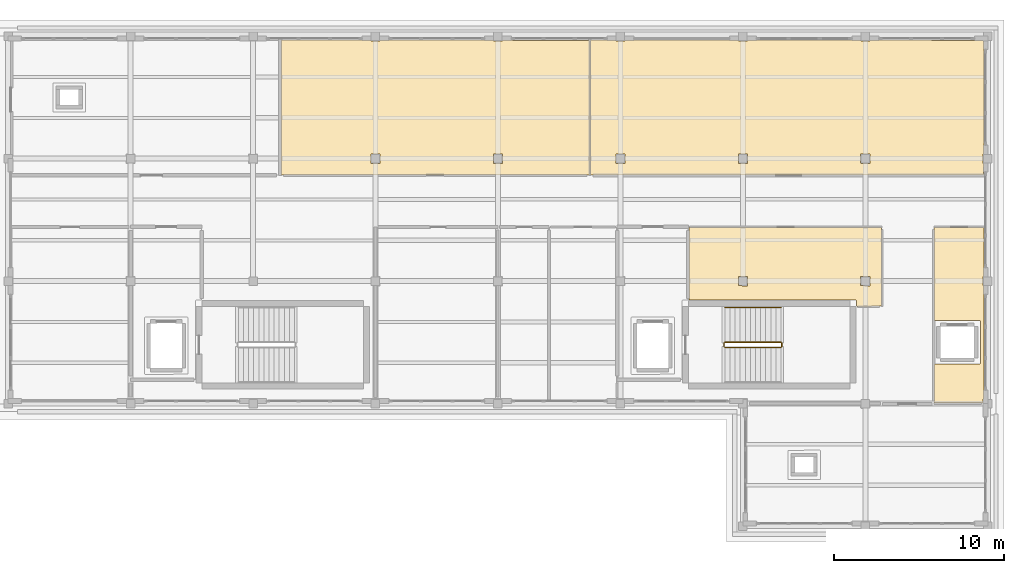
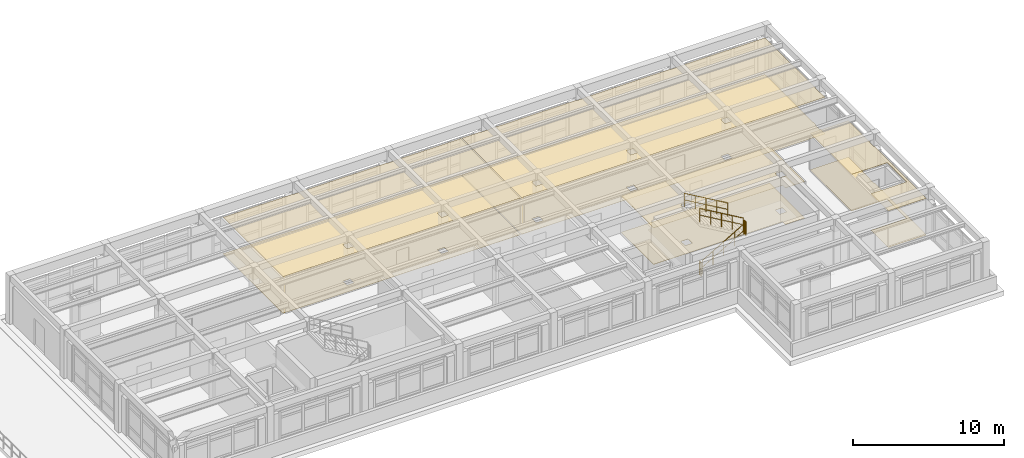
# One storey, part 18 of 18: 8 coverings, 5 railings.
"""IFC4 building model written with IfcOpenShell, lengths in metres."""

from ifc_helpers import new_model, si_unit, direction, frame, origin, origin_2d, place, context, subcontext, project, spatial, polyline, circle, outline, extrude, material, layer, layer_set, type_object, element, save


model = new_model("IFC4")

# Units and contexts
model_context = context("Model", 3, precision=1e-05, world=origin(), true_north=direction((0.0, 1.0)))
body_context = subcontext(model_context, "Body", "Model", "MODEL_VIEW")
ifc_project = project(units=[si_unit("LENGTHUNIT", "METRE"), si_unit("AREAUNIT", "SQUARE_METRE"), si_unit("VOLUMEUNIT", "CUBIC_METRE"), si_unit("PLANEANGLEUNIT", "RADIAN"), si_unit("MASSUNIT", "GRAM", prefix="KILO")], contexts=[model_context])

# Site, building, storey
site_placement = place(None, origin())
site = spatial("IfcSite", under=ifc_project, at=site_placement, CompositionType="ELEMENT")
building_placement = place(site_placement, origin())
building = spatial("IfcBuilding", under=site, at=building_placement, Name="Solenvale Faculty of Natural Sciences", CompositionType="ELEMENT")
storey_placement = place(building_placement, frame((0.0, 0.0, 39.60009765625)))
storey = spatial("IfcBuildingStorey", under=building, at=storey_placement, Name="L09", CompositionType="ELEMENT", Elevation=39.60009765625)

# Coverings
ifc_material_1 = material(Name="Acoustic mineral-timber ceiling", Category="wood")
ifc_layer_1 = layer(ifc_material_1, 0.02490234375)
ifc_layer_set_1 = layer_set([ifc_layer_1], Name="Acoustic mineral-timber ceiling")
covering_type_1 = type_object("IfcCoveringType", Name="COV-CEIL-AC25", PredefinedType="CEILING", material=ifc_layer_set_1)
covering_1_placement = place(storey_placement, frame((0.0, 0.0, 2.934814453125)))
element("IfcCovering", 1, at=covering_1_placement, inside=storey, type_object=covering_type_1, Name="L09 Faculty Staff Office Acoustic Ceiling", PredefinedType="CEILING", context=body_context, shape_type="SweptSolid", body=[
    extrude(outline(polyline([(114.89501953125, 114.9599609375), (114.93603515625, 114.925048828125), (115.466064453125, 114.925048828125), (115.5048828125, 114.9599609375), (122.094970703125, 114.9599609375), (122.135986328125, 114.925048828125), (122.666015625, 114.925048828125), (122.705078125, 114.9599609375), (127.76708984375, 114.955078125), (127.780029296875, 114.929931640625), (127.77490234375, 107.052978515625), (127.75, 107.0400390625), (109.653076171875, 107.044921875), (109.639892578125, 107.070068359375), (109.64501953125, 114.947021484375), (109.669921875, 114.9599609375), (114.89501953125, 114.9599609375)]), holes=[polyline([(122.6640625, 107.72509765625), (122.675048828125, 107.736083984375), (122.672119140625, 108.27197265625), (122.1279296875, 108.27197265625), (122.1279296875, 107.72802734375), (122.6640625, 107.72509765625)]), polyline([(114.925048828125, 107.736083984375), (114.93603515625, 107.72509765625), (115.471923828125, 107.72802734375), (115.471923828125, 108.27197265625), (114.927978515625, 108.27197265625), (114.925048828125, 107.736083984375)])]), origin(), (0.0, 0.0, 1.0), 0.025146484375),
])
covering_2_placement = place(storey_placement, frame((0.0, 0.0, 2.934814453125)))
element("IfcCovering", 2, at=covering_2_placement, inside=storey, type_object=covering_type_1, Name="L09 Preparative Organic Chemistry Laboratory Acoustic Ceiling", PredefinedType="CEILING", context=body_context, shape_type="SweptSolid", body=[
    extrude(outline(polyline([(129.294921875, 114.9599609375), (129.3359375, 114.925048828125), (129.865966796875, 114.925048828125), (129.905029296875, 114.9599609375), (136.4951171875, 114.9599609375), (136.535888671875, 114.925048828125), (137.06591796875, 114.925048828125), (137.10498046875, 114.9599609375), (143.695068359375, 114.9599609375), (143.736083984375, 114.925048828125), (144.26611328125, 114.925048828125), (144.304931640625, 114.9599609375), (150.904052734375, 114.958984375), (150.9599609375, 114.89501953125), (150.9599609375, 108.304931640625), (150.925048828125, 108.263916015625), (150.925048828125, 107.73388671875), (150.9599609375, 107.695068359375), (150.9580078125, 107.05908203125), (150.929931640625, 107.0400390625), (127.85888671875, 107.0419921875), (127.840087890625, 107.070068359375), (127.841064453125, 114.93603515625), (127.8701171875, 114.9599609375), (129.294921875, 114.9599609375)]), holes=[polyline([(143.72509765625, 107.736083984375), (143.736083984375, 107.72509765625), (144.27197265625, 107.72802734375), (144.27197265625, 108.27197265625), (143.72802734375, 108.27197265625), (143.72509765625, 107.736083984375)]), polyline([(137.06396484375, 107.72509765625), (137.074951171875, 107.736083984375), (137.072021484375, 108.27197265625), (136.528076171875, 108.27197265625), (136.528076171875, 107.72802734375), (137.06396484375, 107.72509765625)]), polyline([(129.324951171875, 107.736083984375), (129.3359375, 107.72509765625), (129.8720703125, 107.72802734375), (129.8720703125, 108.27197265625), (129.327880859375, 108.27197265625), (129.324951171875, 107.736083984375)])]), origin(), (0.0, 0.0, 1.0), 0.025146484375),
])
covering_3_placement = place(storey_placement, frame((0.0, 0.0, 2.934814453125)))
element("IfcCovering", 3, at=covering_3_placement, inside=storey, type_object=covering_type_1, Name="L09 Building Electrical and Telecom Closet Acoustic Ceiling", PredefinedType="CEILING", context=body_context, shape_type="SweptSolid", body=[
    extrude(outline(polyline([(144.929931640625, 103.9599609375), (144.950927734375, 103.950927734375), (144.9599609375, 103.929931640625), (144.9599609375, 99.35009765625), (144.94091796875, 99.322021484375), (143.50390625, 99.321044921875), (143.47998046875, 99.346923828125), (143.47998046875, 99.654052734375), (143.450927734375, 99.679931640625), (133.669921875, 99.679931640625), (133.64208984375, 99.698974609375), (133.639892578125, 103.929931640625), (133.658935546875, 103.9580078125), (144.929931640625, 103.9599609375)]), holes=[polyline([(144.263916015625, 100.52490234375), (144.27490234375, 100.535888671875), (144.27197265625, 101.072021484375), (143.72802734375, 101.072021484375), (143.72802734375, 100.528076171875), (144.263916015625, 100.52490234375)]), polyline([(137.06396484375, 100.52490234375), (137.074951171875, 100.535888671875), (137.072021484375, 101.072021484375), (136.528076171875, 101.072021484375), (136.528076171875, 100.528076171875), (137.06396484375, 100.52490234375)])]), origin(), (0.0, 0.0, 1.0), 0.025146484375),
])
covering_4_placement = place(storey_placement, frame((0.0, 0.0, 2.934814453125)))
element("IfcCovering", 4, at=covering_4_placement, inside=storey, type_object=covering_type_1, Name="L09 Elevator Lobby Acoustic Ceiling", PredefinedType="CEILING", context=body_context, shape_type="SweptSolid", body=[
    extrude(outline(polyline([(148.0400390625, 95.889892578125), (148.049072265625, 95.910888671875), (148.070068359375, 95.919921875), (150.72509765625, 95.919921875), (150.7470703125, 95.929931640625), (150.7548828125, 95.949951171875), (150.7548828125, 98.449951171875), (150.7451171875, 98.471923828125), (148.070068359375, 98.47998046875), (148.041015625, 98.5009765625), (148.0419921875, 103.94091796875), (148.070068359375, 103.9599609375), (150.94091796875, 103.9580078125), (150.9599609375, 103.929931640625), (150.9599609375, 101.10498046875), (150.925048828125, 101.06591796875), (150.925048828125, 100.535888671875), (150.9599609375, 100.4951171875), (150.9599609375, 93.905029296875), (150.925048828125, 93.866943359375), (150.91796875, 93.631103515625), (150.89501953125, 93.6201171875), (148.051025390625, 93.626953125), (148.0400390625, 93.64990234375), (148.0400390625, 95.889892578125)])), origin(), (0.0, 0.0, 1.0), 0.025146484375),
])
ifc_material_2 = material(Name="Polished slate terrazzo flooring", Category="masonry")
ifc_layer_2 = layer(ifc_material_2, 0.01806640625)
ifc_layer_set_2 = layer_set([ifc_layer_2], Name="Polished slate terrazzo flooring")
covering_type_2 = type_object("IfcCoveringType", Name="COV-FLR-TRZ18", PredefinedType="FLOORING", material=ifc_layer_set_2)
covering_5_placement = place(storey_placement, origin())
element("IfcCovering", 5, at=covering_5_placement, inside=storey, type_object=covering_type_2, Name="L09 Faculty Staff Office Floor Finish", PredefinedType="FLOORING", context=body_context, shape_type="SweptSolid", body=[
    extrude(outline(polyline([(114.89501953125, 114.9599609375), (114.93603515625, 114.925048828125), (115.466064453125, 114.925048828125), (115.5048828125, 114.9599609375), (122.094970703125, 114.9599609375), (122.135986328125, 114.925048828125), (122.666015625, 114.925048828125), (122.705078125, 114.9599609375), (127.76708984375, 114.955078125), (127.780029296875, 114.929931640625), (127.77490234375, 107.052978515625), (127.75, 107.0400390625), (109.653076171875, 107.044921875), (109.639892578125, 107.070068359375), (109.64501953125, 114.947021484375), (109.669921875, 114.9599609375), (114.89501953125, 114.9599609375)]), holes=[polyline([(122.6640625, 107.72509765625), (122.675048828125, 107.736083984375), (122.672119140625, 108.27197265625), (122.1279296875, 108.27197265625), (122.1279296875, 107.72802734375), (122.6640625, 107.72509765625)]), polyline([(114.925048828125, 107.736083984375), (114.93603515625, 107.72509765625), (115.471923828125, 107.72802734375), (115.471923828125, 108.27197265625), (114.927978515625, 108.27197265625), (114.925048828125, 107.736083984375)])]), origin(), (0.0, 0.0, 1.0), 0.017822265625),
])
covering_6_placement = place(storey_placement, origin())
element("IfcCovering", 6, at=covering_6_placement, inside=storey, type_object=covering_type_2, Name="L09 Building Electrical and Telecom Closet Floor Finish", PredefinedType="FLOORING", context=body_context, shape_type="SweptSolid", body=[
    extrude(outline(polyline([(144.929931640625, 103.9599609375), (144.950927734375, 103.950927734375), (144.9599609375, 103.929931640625), (144.9599609375, 99.35009765625), (144.94091796875, 99.322021484375), (143.50390625, 99.321044921875), (143.47998046875, 99.346923828125), (143.47998046875, 99.654052734375), (143.450927734375, 99.679931640625), (133.669921875, 99.679931640625), (133.64208984375, 99.698974609375), (133.639892578125, 103.929931640625), (133.658935546875, 103.9580078125), (144.929931640625, 103.9599609375)]), holes=[polyline([(144.263916015625, 100.52490234375), (144.27490234375, 100.535888671875), (144.27197265625, 101.072021484375), (143.72802734375, 101.072021484375), (143.72802734375, 100.528076171875), (144.263916015625, 100.52490234375)]), polyline([(137.06396484375, 100.52490234375), (137.074951171875, 100.535888671875), (137.072021484375, 101.072021484375), (136.528076171875, 101.072021484375), (136.528076171875, 100.528076171875), (137.06396484375, 100.52490234375)])]), origin(), (0.0, 0.0, 1.0), 0.017822265625),
])
covering_7_placement = place(storey_placement, origin())
element("IfcCovering", 7, at=covering_7_placement, inside=storey, type_object=covering_type_2, Name="L09 Elevator Lobby Floor Finish", PredefinedType="FLOORING", context=body_context, shape_type="SweptSolid", body=[
    extrude(outline(polyline([(148.0400390625, 95.889892578125), (148.049072265625, 95.910888671875), (148.070068359375, 95.919921875), (150.72509765625, 95.919921875), (150.7470703125, 95.929931640625), (150.7548828125, 95.949951171875), (150.7548828125, 98.449951171875), (150.7451171875, 98.471923828125), (148.070068359375, 98.47998046875), (148.041015625, 98.5009765625), (148.0419921875, 103.94091796875), (148.070068359375, 103.9599609375), (150.94091796875, 103.9580078125), (150.9599609375, 103.929931640625), (150.9599609375, 101.10498046875), (150.925048828125, 101.06591796875), (150.925048828125, 100.535888671875), (150.9599609375, 100.4951171875), (150.9599609375, 93.905029296875), (150.925048828125, 93.866943359375), (150.91796875, 93.631103515625), (150.89501953125, 93.6201171875), (148.051025390625, 93.626953125), (148.0400390625, 93.64990234375), (148.0400390625, 95.889892578125)])), origin(), (0.0, 0.0, 1.0), 0.017822265625),
])
ifc_material_3 = material(Name="Seamless laboratory vinyl flooring")
ifc_layer_3 = layer(ifc_material_3, 0.008056640625)
ifc_layer_set_3 = layer_set([ifc_layer_3], Name="Seamless laboratory vinyl flooring")
covering_type_3 = type_object("IfcCoveringType", Name="COV-FLR-VNL08", PredefinedType="FLOORING", material=ifc_layer_set_3)
covering_8_placement = place(storey_placement, origin())
element("IfcCovering", 8, at=covering_8_placement, inside=storey, type_object=covering_type_3, Name="L09 Preparative Organic Chemistry Laboratory Floor Finish", PredefinedType="FLOORING", context=body_context, shape_type="SweptSolid", body=[
    extrude(outline(polyline([(129.294921875, 114.9599609375), (129.3359375, 114.925048828125), (129.865966796875, 114.925048828125), (129.905029296875, 114.9599609375), (136.4951171875, 114.9599609375), (136.535888671875, 114.925048828125), (137.06591796875, 114.925048828125), (137.10498046875, 114.9599609375), (143.695068359375, 114.9599609375), (143.736083984375, 114.925048828125), (144.26611328125, 114.925048828125), (144.304931640625, 114.9599609375), (150.904052734375, 114.958984375), (150.9599609375, 114.89501953125), (150.9599609375, 108.304931640625), (150.925048828125, 108.263916015625), (150.925048828125, 107.73388671875), (150.9599609375, 107.695068359375), (150.9580078125, 107.05908203125), (150.929931640625, 107.0400390625), (127.85888671875, 107.0419921875), (127.840087890625, 107.070068359375), (127.841064453125, 114.93603515625), (127.8701171875, 114.9599609375), (129.294921875, 114.9599609375)]), holes=[polyline([(143.72509765625, 107.736083984375), (143.736083984375, 107.72509765625), (144.27197265625, 107.72802734375), (144.27197265625, 108.27197265625), (143.72802734375, 108.27197265625), (143.72509765625, 107.736083984375)]), polyline([(137.06396484375, 107.72509765625), (137.074951171875, 107.736083984375), (137.072021484375, 108.27197265625), (136.528076171875, 108.27197265625), (136.528076171875, 107.72802734375), (137.06396484375, 107.72509765625)]), polyline([(129.324951171875, 107.736083984375), (129.3359375, 107.72509765625), (129.8720703125, 107.72802734375), (129.8720703125, 108.27197265625), (129.327880859375, 108.27197265625), (129.324951171875, 107.736083984375)])]), origin(), (0.0, 0.0, 1.0), 0.0078125),
])

# Railings
ifc_material_4 = material(Name="Stainless steel Grade 304", Category="steel")
railing_type_1 = type_object("IfcRailingType", Name="RL-GRD-1100", PredefinedType="GUARDRAIL", material=ifc_material_4)
railing_1_placement = place(storey_placement, frame((135.739990234375, 96.89990234375, 0.1748046875)))
element("IfcRailing", 9, at=railing_1_placement, inside=storey, type_object=railing_type_1, Name="L09 ST-05 stair guard 1", PredefinedType="GUARDRAIL", context=body_context, shape_type="SweptSolid", body=[
    extrude(circle(Radius=0.02392578125, at=origin_2d()), frame((0.0, 0.0, 1.09619140625), z_axis=(0.863776583165, 0.0, 0.503874998761), x_axis=(0.0, 1.0, 0.0)), (0.0, 0.0, 1.0), 3.820556640625),
    extrude(circle(Radius=0.01611328125, at=origin_2d()), frame((0.0, 0.0, 0.56005859375), z_axis=(0.863776583165, 0.0, 0.503874998761), x_axis=(0.0, 1.0, 0.0)), (0.0, 0.0, 1.0), 3.820556640625),
    extrude(circle(Radius=0.02099609375, at=origin_2d()), origin(), (0.0, 0.0, 1.0), 1.072021484375),
    extrude(circle(Radius=0.02099609375, at=origin_2d()), frame((0.824951171875, 0.0, 0.481201171875)), (0.0, 0.0, 1.0), 1.072021484375),
    extrude(circle(Radius=0.02099609375, at=origin_2d()), frame((1.64990234375, 0.0, 0.96240234375)), (0.0, 0.0, 1.0), 1.072021484375),
    extrude(circle(Radius=0.02099609375, at=origin_2d()), frame((2.47509765625, 0.0, 1.44384765625)), (0.0, 0.0, 1.0), 1.072021484375),
    extrude(circle(Radius=0.02099609375, at=origin_2d()), frame((3.300048828125, 0.0, 1.925048828125)), (0.0, 0.0, 1.0), 1.072021484375),
])
railing_2_placement = place(storey_placement, frame((139.090087890625, 96.949951171875, 2.099853515625)))
element("IfcRailing", 10, at=railing_2_placement, inside=storey, type_object=railing_type_1, Name="L09 ST-05 stair guard 2", PredefinedType="GUARDRAIL", context=body_context, shape_type="SweptSolid", body=[
    extrude(circle(Radius=0.02392578125, at=origin_2d()), frame((0.0, 0.0, 1.09619140625), z_axis=(0.0, 1.0, 0.0), x_axis=(-1.0, 0.0, 0.0)), (0.0, 0.0, 1.0), 0.199951171875),
    extrude(circle(Radius=0.01611328125, at=origin_2d()), frame((0.0, 0.0, 0.56005859375), z_axis=(0.0, 1.0, 0.0), x_axis=(-1.0, 0.0, 0.0)), (0.0, 0.0, 1.0), 0.199951171875),
    extrude(circle(Radius=0.02099609375, at=origin_2d()), origin(), (0.0, 0.0, 1.0), 1.072021484375),
    extrude(circle(Radius=0.02099609375, at=origin_2d()), frame((0.0, 0.199951171875, 0.0)), (0.0, 0.0, 1.0), 1.072021484375),
])
railing_3_placement = place(storey_placement, frame((139.0400390625, 97.199951171875, 2.27490234375)))
element("IfcRailing", 11, at=railing_3_placement, inside=storey, type_object=railing_type_1, Name="L09 ST-05 stair guard 3", PredefinedType="GUARDRAIL", context=body_context, shape_type="SweptSolid", body=[
    extrude(circle(Radius=0.02392578125, at=origin_2d()), frame((0.0, 0.0, 1.09619140625), z_axis=(-0.863776583165, 0.0, 0.503874998761), x_axis=(0.0, -1.0, 0.0)), (0.0, 0.0, 1.0), 3.820556640625),
    extrude(circle(Radius=0.01611328125, at=origin_2d()), frame((0.0, 0.0, 0.56005859375), z_axis=(-0.863776583165, 0.0, 0.503874998761), x_axis=(0.0, -1.0, 0.0)), (0.0, 0.0, 1.0), 3.820556640625),
    extrude(circle(Radius=0.02099609375, at=origin_2d()), origin(), (0.0, 0.0, 1.0), 1.072021484375),
    extrude(circle(Radius=0.02099609375, at=origin_2d()), frame((-0.824951171875, 0.0, 0.481201171875)), (0.0, 0.0, 1.0), 1.072021484375),
    extrude(circle(Radius=0.02099609375, at=origin_2d()), frame((-1.64990234375, 0.0, 0.96240234375)), (0.0, 0.0, 1.0), 1.072021484375),
    extrude(circle(Radius=0.02099609375, at=origin_2d()), frame((-2.47509765625, 0.0, 1.44384765625)), (0.0, 0.0, 1.0), 1.072021484375),
    extrude(circle(Radius=0.02099609375, at=origin_2d()), frame((-3.300048828125, 0.0, 1.925048828125)), (0.0, 0.0, 1.0), 1.072021484375),
])
railing_4_placement = place(storey_placement, frame((135.68994140625, 96.949951171875, 0.0)))
element("IfcRailing", 12, at=railing_4_placement, inside=storey, type_object=railing_type_1, Name="L09 ST-05 stair guard 4", PredefinedType="GUARDRAIL", context=body_context, shape_type="SweptSolid", body=[
    extrude(circle(Radius=0.02392578125, at=origin_2d()), frame((0.0, 0.0, 1.09619140625), z_axis=(0.0, 1.0, 0.0), x_axis=(-1.0, 0.0, 0.0)), (0.0, 0.0, 1.0), 0.199951171875),
    extrude(circle(Radius=0.01611328125, at=origin_2d()), frame((0.0, 0.0, 0.56005859375), z_axis=(0.0, 1.0, 0.0), x_axis=(-1.0, 0.0, 0.0)), (0.0, 0.0, 1.0), 0.199951171875),
    extrude(circle(Radius=0.02099609375, at=origin_2d()), origin(), (0.0, 0.0, 1.0), 1.072021484375),
    extrude(circle(Radius=0.02099609375, at=origin_2d()), frame((0.0, 0.199951171875, 0.0)), (0.0, 0.0, 1.0), 1.072021484375),
])
railing_type_2 = type_object("IfcRailingType", Name="RL-HND-900", PredefinedType="HANDRAIL", material=ifc_material_4)
railing_5_placement = place(storey_placement, frame((139.0400390625, 99.25, 2.27490234375)))
element("IfcRailing", 13, at=railing_5_placement, inside=storey, type_object=railing_type_2, Name="L09 ST-05 stair handrail 2", PredefinedType="HANDRAIL", context=body_context, shape_type="SweptSolid", body=[
    extrude(circle(Radius=0.02392578125, at=origin_2d()), frame((0.0, 0.0, 1.0751953125), z_axis=(-0.863776583165, 0.0, 0.503874998761), x_axis=(0.0, -1.0, 0.0)), (0.0, 0.0, 1.0), 3.820556640625),
    extrude(circle(Radius=0.01611328125, at=origin_2d()), frame((0.0, 0.0, 0.549560546875), z_axis=(-0.863776583165, 0.0, 0.503874998761), x_axis=(0.0, -1.0, 0.0)), (0.0, 0.0, 1.0), 3.820556640625),
    extrude(circle(Radius=0.02099609375, at=origin_2d()), origin(), (0.0, 0.0, 1.0), 1.051025390625),
    extrude(circle(Radius=0.02099609375, at=origin_2d()), frame((-0.824951171875, 0.0, 0.481201171875)), (0.0, 0.0, 1.0), 1.051025390625),
    extrude(circle(Radius=0.02099609375, at=origin_2d()), frame((-1.64990234375, 0.0, 0.96240234375)), (0.0, 0.0, 1.0), 1.051025390625),
    extrude(circle(Radius=0.02099609375, at=origin_2d()), frame((-2.47509765625, 0.0, 1.44384765625)), (0.0, 0.0, 1.0), 1.051025390625),
    extrude(circle(Radius=0.02099609375, at=origin_2d()), frame((-3.300048828125, 0.0, 1.925048828125)), (0.0, 0.0, 1.0), 1.051025390625),
])

save(model, "model.ifc")
